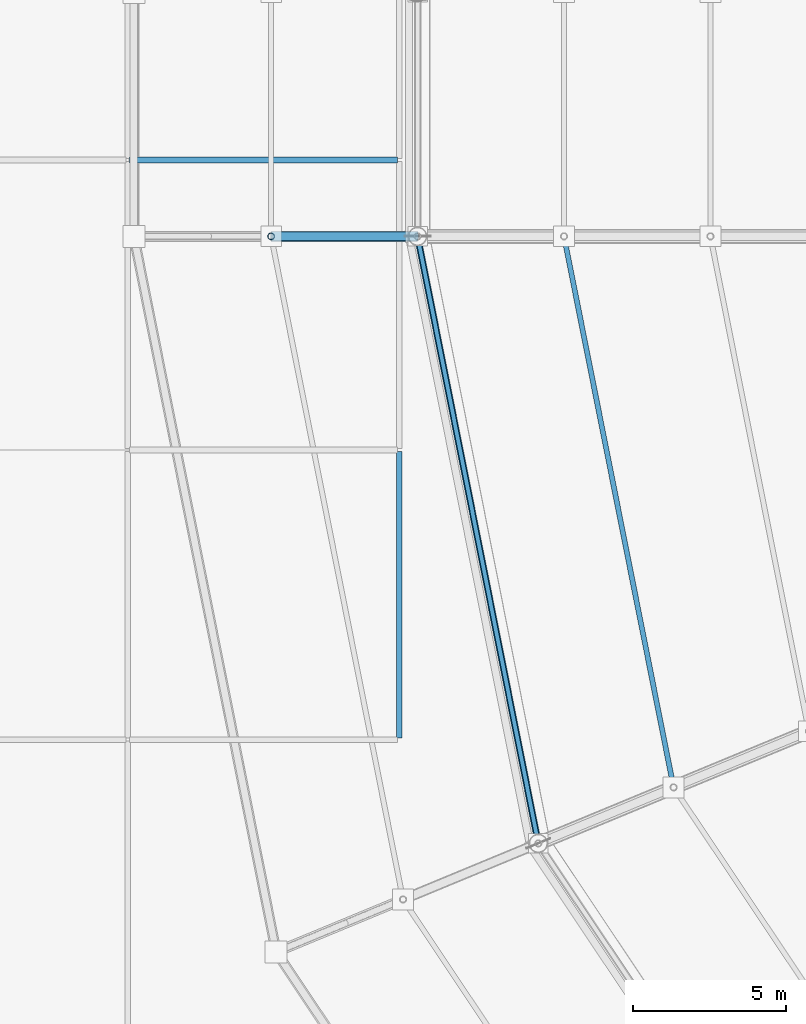
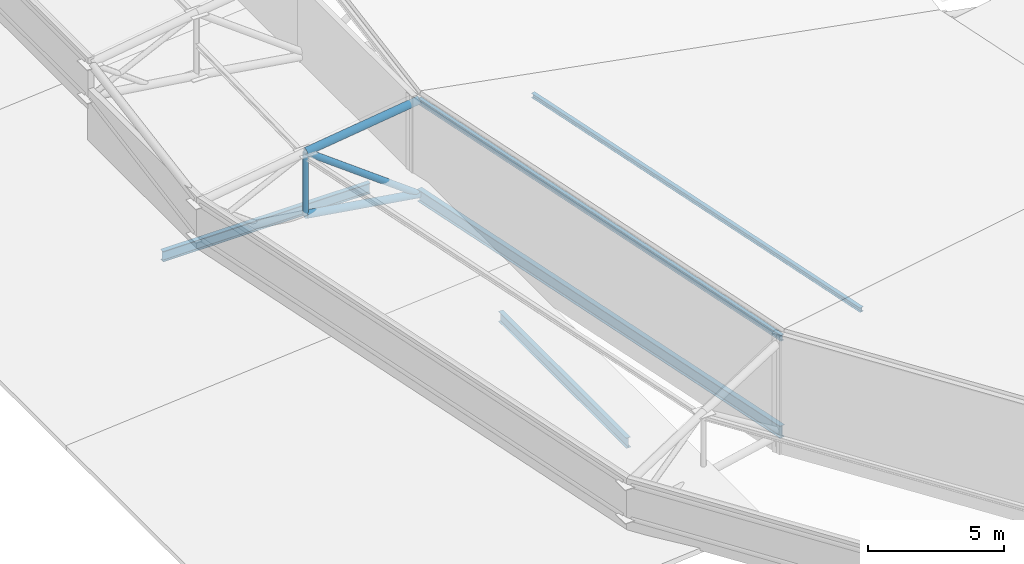
# One storey, part 23 of 146: 5 members, 4 beams.
"""IFC4 building model written with IfcOpenShell, lengths in metres."""

import ifcopenshell
import ifcopenshell.guid

model = None  # the IFC model being written
_history = None  # IfcOwnerHistory: only IFC2X3 demands one
_inside = {}  # id of a spatial element -> (the spatial element, [elements in it])
_under = {}  # id of a project, library or spatial element -> (it, [spatial elements below it])
_declared = {}  # id of a project -> (the project, [libraries it declares])
_typed = {}  # id of a type object -> (the type object, [elements of that type])
_made_of = {}  # id of a material, layer set ... -> (it, [elements and type objects made of it])


def new_model(schema):
    """Start an empty IFC model of exactly this schema.

    Asked for "IFC4X3", IfcOpenShell would pick the latest addendum, in which some entities
    have other attributes; the version numbers below select the first issue.
    IFC2X3 requires an IfcOwnerHistory on every rooted entity: one is made here for all.
    """
    global model, _history
    if schema == "IFC4X3":
        model = ifcopenshell.file(schema_version=(4, 3, 0, 0))
    else:
        model = ifcopenshell.file(schema=schema)
    _inside.clear()
    _under.clear()
    _declared.clear()
    _typed.clear()
    _made_of.clear()
    _history = None
    if model.schema == "IFC2X3":
        org = make("IfcOrganization", Name="unknown")
        user = make(
            "IfcPersonAndOrganization",
            ThePerson=make("IfcPerson", FamilyName="unknown"),
            TheOrganization=org,
        )
        app = make(
            "IfcApplication",
            ApplicationDeveloper=org,
            Version="unknown",
            ApplicationFullName="unknown",
            ApplicationIdentifier="unknown",
        )
        _history = make(
            "IfcOwnerHistory",
            OwningUser=user,
            OwningApplication=app,
            ChangeAction="ADDED",
            CreationDate=0,
        )
    return model


def make(cls, **values):
    """One entity of the class cls with the attributes given. An attribute that is None is left unset."""
    return model.create_entity(
        cls, **{name: value for name, value in values.items() if value is not None}
    )


def rooted(cls, **values):
    """An entity with a GlobalId (a new one), such as an element, a storey or a relation."""
    return make(cls, GlobalId=ifcopenshell.guid.new(), OwnerHistory=_history, **values)


def si_unit(unit_type, name, prefix=None):
    """IfcSIUnit, for example si_unit("LENGTHUNIT", "METRE", prefix="MILLI")."""
    return make("IfcSIUnit", UnitType=unit_type, Prefix=prefix, Name=name)


def assignment(units):
    """IfcUnitAssignment: the units of a project."""
    return None if units is None else make("IfcUnitAssignment", Units=units)


def point(xyz):
    """IfcCartesianPoint."""
    return None if xyz is None else make("IfcCartesianPoint", Coordinates=xyz)


def direction(xyz):
    """IfcDirection."""
    return None if xyz is None else make("IfcDirection", DirectionRatios=xyz)


def frame(location, z_axis=None, x_axis=None):
    """IfcAxis2Placement3D, a coordinate frame: its origin and axes. An axis left out is left unset."""
    return make(
        "IfcAxis2Placement3D",
        Location=point(location),
        Axis=direction(z_axis),
        RefDirection=direction(x_axis),
    )


def frame_2d(location, x_axis=None):
    """IfcAxis2Placement2D, a coordinate frame in the plane: its origin and x axis."""
    return make(
        "IfcAxis2Placement2D", Location=point(location), RefDirection=direction(x_axis)
    )


def origin():
    """The frame at (0, 0, 0) with its axes left unset."""
    return frame((0.0, 0.0, 0.0))


def origin_2d():
    """The frame at (0, 0) in the plane with its x axis left unset."""
    return frame_2d((0.0, 0.0))


def place(relative_to, where):
    """IfcLocalPlacement: puts the frame where relative to a parent placement (None: the world)."""
    return make(
        "IfcLocalPlacement", PlacementRelTo=relative_to, RelativePlacement=where
    )


def context(
    kind, dimensions, precision=None, world=None, true_north=None, identifier=None
):
    """IfcGeometricRepresentationContext, for example the 3D "Model" context."""
    return make(
        "IfcGeometricRepresentationContext",
        ContextIdentifier=identifier,
        ContextType=kind,
        CoordinateSpaceDimension=dimensions,
        Precision=precision,
        WorldCoordinateSystem=world,
        TrueNorth=true_north,
    )


def subcontext(parent, identifier, kind, view, scale=None):
    """IfcGeometricRepresentationSubContext, for example "Body" below "Model"."""
    return make(
        "IfcGeometricRepresentationSubContext",
        ContextIdentifier=identifier,
        ContextType=kind,
        ParentContext=parent,
        TargetScale=scale,
        TargetView=view,
    )


def project(units=None, contexts=None):
    """IfcProject with its units and contexts."""
    return rooted(
        "IfcProject",
        Name="project",
        RepresentationContexts=contexts,
        UnitsInContext=assignment(units),
    )


def spatial(cls, under=None, at=None, **own):
    """A site, building, storey or space (cls), placed at a placement, below another one or the project."""
    s = rooted(cls, ObjectPlacement=at, **own)
    if under is not None:
        _under.setdefault(under.id(), (under, []))[1].append(s)
    return s


def profile(cls, at=None, kind="AREA", **sizes):
    """A parametric profile (cls). Its sizes go by their IFC names, for example OverallWidth=200.0."""
    return make(cls, ProfileType=kind, Position=at, **sizes)


def hollow_circle(**sizes):
    """IfcCircleHollowProfileDef."""
    return profile("IfcCircleHollowProfileDef", **sizes)


def i_section(**sizes):
    """IfcIShapeProfileDef."""
    return profile("IfcIShapeProfileDef", **sizes)


def extrude(swept, where, along, depth):
    """IfcExtrudedAreaSolid: the profile swept, set in the frame where, extruded along a direction by depth."""
    return make(
        "IfcExtrudedAreaSolid",
        SweptArea=swept,
        Position=where,
        ExtrudedDirection=direction(along),
        Depth=depth,
    )


def shape(context_of_items, identifier, shape_type, items):
    """IfcShapeRepresentation: the items that make up one representation, for example the "Body"."""
    return make(
        "IfcShapeRepresentation",
        ContextOfItems=context_of_items,
        RepresentationIdentifier=identifier,
        RepresentationType=shape_type,
        Items=items,
    )


def material(Name=None, Category=None):
    """IfcMaterial."""
    return make("IfcMaterial", Name=Name, Category=Category)


def material_profile(
    of_material, cross_section, Name=None, Category=None, Priority=None
):
    """IfcMaterialProfile: a cross section and its material."""
    return make(
        "IfcMaterialProfile",
        Name=Name,
        Material=of_material,
        Profile=cross_section,
        Priority=Priority,
        Category=Category,
    )


def profile_set(profiles, Name=None, composite=None):
    """IfcMaterialProfileSet."""
    return make(
        "IfcMaterialProfileSet",
        Name=Name,
        MaterialProfiles=profiles,
        CompositeProfile=composite,
    )


def made_of(thing, what):
    """Note that an element or type object is made of a material, layer set ...; save() writes the relation."""
    if what is not None:
        _made_of.setdefault(what.id(), (what, []))[1].append(thing)
    return thing


def type_object(cls, material=None, **own):
    """A type object (cls), such as IfcWallType, which elements share."""
    return made_of(rooted(cls, **own), material)


def element(
    cls,
    number,
    at=None,
    inside=None,
    cuts=None,
    type_object=None,
    material=None,
    context=None,
    identifier="Body",
    shape_type=None,
    held_by="IfcProductDefinitionShape",
    body=None,
    shapes=None,
    **own,
):
    """One element of the class cls, such as IfcWall. Its Tag is "e" and its number.

    at: its placement. inside: the storey or other place that contains it. cuts: it is an
    opening in that element (IfcRelVoidsElement). A single representation is given by context,
    identifier, shape_type and body (its items); several are given by shapes. held_by: the class
    of the entity that holds the representations. save() writes the other relations.
    """
    e = rooted(cls, Tag="e%d" % number, ObjectPlacement=at, **own)
    if body is not None:
        shapes = [shape(context, identifier, shape_type, body)]
    if shapes is not None:
        e.Representation = make(held_by, Representations=shapes)
    if inside is not None:
        _inside.setdefault(inside.id(), (inside, []))[1].append(e)
    if cuts is not None:
        rooted(
            "IfcRelVoidsElement", RelatingBuildingElement=cuts, RelatedOpeningElement=e
        )
    if type_object is not None:
        _typed.setdefault(type_object.id(), (type_object, []))[1].append(e)
    return made_of(e, material)


def aggregate(whole, parts):
    """IfcRelAggregates: a whole, such as a stair, and the parts it consists of."""
    return rooted("IfcRelAggregates", RelatingObject=whole, RelatedObjects=parts)


def save(model, path):
    """Write the relations noted so far, then the file.

    IfcRelAggregates (storeys below a building ...), IfcRelContainedInSpatialStructure (elements
    in a storey), IfcRelDefinesByType, IfcRelAssociatesMaterial and IfcRelDeclares: one each for
    every whole, place, type object, material and project.
    """
    for whole, parts in _under.values():
        aggregate(whole, parts)
    for where, things in _inside.values():
        rooted(
            "IfcRelContainedInSpatialStructure",
            RelatedElements=things,
            RelatingStructure=where,
        )
    for kind, things in _typed.values():
        rooted("IfcRelDefinesByType", RelatedObjects=things, RelatingType=kind)
    for what, things in _made_of.values():
        rooted("IfcRelAssociatesMaterial", RelatedObjects=things, RelatingMaterial=what)
    for by, libraries in _declared.values():
        rooted("IfcRelDeclares", RelatingContext=by, RelatedDefinitions=libraries)
    model.write(path)


model = new_model("IFC4")

# Units and contexts
model_context = context("Model", 3, precision=1e-05, world=origin(), true_north=direction((0.0, 1.0)))
body_context = subcontext(model_context, "Body", "Model", "MODEL_VIEW")
ifc_project = project(units=[si_unit("LENGTHUNIT", "METRE"), si_unit("AREAUNIT", "SQUARE_METRE"), si_unit("VOLUMEUNIT", "CUBIC_METRE"), si_unit("PLANEANGLEUNIT", "RADIAN"), si_unit("MASSUNIT", "GRAM", prefix="KILO")], contexts=[model_context])

# Site, building, storey
site_placement = place(None, origin())
site = spatial("IfcSite", under=ifc_project, at=site_placement, CompositionType="ELEMENT")
building_placement = place(site_placement, origin())
building = spatial("IfcBuilding", under=site, at=building_placement, Name="Candeia Ridge Stadium", CompositionType="ELEMENT")
storey_placement = place(building_placement, frame((0.0, 0.0, 31.800048828125)))
storey = spatial("IfcBuildingStorey", under=building, at=storey_placement, Name="RF", CompositionType="ELEMENT", Elevation=31.800048828125)

# Beams
ifc_material = material(Name="Steel ASTM A572 Grade 50", Category="steel")
ifc_material_profile_1 = material_profile(ifc_material, i_section(OverallWidth=0.14794921875, OverallDepth=0.26611328125, WebThickness=0.007568359375, FlangeThickness=0.012939453125, FilletRadius=0.010986328125, at=origin_2d()), Name="W250x44.8", Category="steel")
ifc_profile_set_1 = profile_set([ifc_material_profile_1], Name="Steel ASTM A572 Grade 50")
beam_type_1 = type_object("IfcBeamType", Name="Canopy Edge Spandrel W250x44.8", PredefinedType="SPANDREL", material=ifc_profile_set_1)
beam_1_placement = place(storey_placement, frame((19.0078125, 70.960693359375, 4.599853515625), z_axis=(0.195089178874, -0.980785507788, 0.0), x_axis=(0.980785507788, 0.195089178874, 0.0)))
element("IfcBeam", 1, at=beam_1_placement, inside=storey, type_object=beam_type_1, Name="Roof crown cap ring beam bay 15", PredefinedType="SPANDREL", context=body_context, shape_type="SweptSolid", body=[
    extrude(i_section(OverallWidth=0.14794921875, OverallDepth=0.26611328125, WebThickness=0.007568359375, FlangeThickness=0.012939453125, FilletRadius=0.010986328125, at=origin_2d()), origin(), (0.0, 0.0, 1.0), 20.20947265625),
])
ifc_material_profile_2 = material_profile(ifc_material, i_section(OverallWidth=0.194091796875, OverallDepth=0.468994140625, WebThickness=0.0126953125, FlangeThickness=0.0205078125, FilletRadius=0.012939453125, at=origin_2d()), Name="W460x106", Category="steel")
ifc_profile_set_2 = profile_set([ifc_material_profile_2], Name="Steel ASTM A572 Grade 50")
beam_type_2 = type_object("IfcBeamType", Name="Gondola Primary Girder W460x106", PredefinedType="BEAM", material=ifc_profile_set_2)
beam_2_placement = place(storey_placement, frame((9.550048828125, 73.5, -0.58447265625), z_axis=(1.0, 0.0, 0.0), x_axis=(0.0, 1.0, 0.0)))
element("IfcBeam", 2, at=beam_2_placement, inside=storey, type_object=beam_type_2, Name="Structural girder BM-RF-1447", PredefinedType="BEAM", context=body_context, shape_type="SweptSolid", body=[
    extrude(i_section(OverallWidth=0.194091796875, OverallDepth=0.468994140625, WebThickness=0.0126953125, FlangeThickness=0.0205078125, FilletRadius=0.012939453125, at=origin_2d()), origin(), (0.0, 0.0, 1.0), 8.800048828125),
])
ifc_material_profile_3 = material_profile(ifc_material, i_section(OverallWidth=0.18994140625, OverallDepth=0.45703125, WebThickness=0.009033203125, FlangeThickness=0.014404296875, FilletRadius=0.012939453125, at=origin_2d()), Name="W460x74", Category="steel")
ifc_profile_set_3 = profile_set([ifc_material_profile_3], Name="Steel ASTM A572 Grade 50")
beam_type_3 = type_object("IfcBeamType", Name="Pavilion Steel Girder W460x74", PredefinedType="BEAM", material=ifc_profile_set_3)
beam_3_placement = place(storey_placement, frame((18.39990234375, 54.550048828125, -0.57861328125), z_axis=(0.0, 1.0, 0.0), x_axis=(-1.0, 0.0, 0.0)))
element("IfcBeam", 3, at=beam_3_placement, inside=storey, type_object=beam_type_3, Name="Structural girder BM-RF-1433", PredefinedType="BEAM", context=body_context, shape_type="SweptSolid", body=[
    extrude(i_section(OverallWidth=0.18994140625, OverallDepth=0.45703125, WebThickness=0.009033203125, FlangeThickness=0.014404296875, FilletRadius=0.012939453125, at=origin_2d()), origin(), (0.0, 0.0, 1.0), 9.39990234375),
])
ifc_material_profile_4 = material_profile(ifc_material, i_section(OverallWidth=0.2119140625, OverallDepth=0.5439453125, WebThickness=0.01318359375, FlangeThickness=0.021240234375, FilletRadius=0.013916015625, at=origin_2d()), Name="W530x123", Category="steel")
ifc_profile_set_4 = profile_set([ifc_material_profile_4], Name="Steel ASTM A572 Grade 50")
beam_type_4 = type_object("IfcBeamType", Name="Roof Perimeter Ring Beam W530x123", PredefinedType="BEAM", material=ifc_profile_set_4)
beam_4_placement = place(storey_placement, frame((19.0078125, 70.960693359375, 0.39990234375), z_axis=(0.195089178874, -0.980785507788, 0.0), x_axis=(0.980785507788, 0.195089178874, 0.0)))
element("IfcBeam", 4, at=beam_4_placement, inside=storey, type_object=beam_type_4, Name="Roof perimeter ring beam bay 15", PredefinedType="BEAM", context=body_context, shape_type="SweptSolid", body=[
    extrude(i_section(OverallWidth=0.2119140625, OverallDepth=0.5439453125, WebThickness=0.01318359375, FlangeThickness=0.021240234375, FilletRadius=0.013916015625, at=origin_2d()), origin(), (0.0, 0.0, 1.0), 20.20947265625),
])

# Members
ifc_material_profile_5 = material_profile(ifc_material, i_section(OverallWidth=0.1650390625, OverallDepth=0.200927734375, WebThickness=0.006103515625, FlangeThickness=0.01025390625, FilletRadius=0.010009765625, at=origin_2d()), Name="W200x35.9", Category="steel")
ifc_profile_set_5 = profile_set([ifc_material_profile_5], Name="Steel ASTM A572 Grade 50")
member_type_1 = type_object("IfcMemberType", Name="Roof Purlin W200x35.9", PredefinedType="PURLIN", material=ifc_profile_set_5)
member_1_placement = place(storey_placement, frame((23.809814453125, 70.950927734375, 3.19189453125), z_axis=(0.19508302995, -0.980786730857, 0.0), x_axis=(0.980786730857, 0.19508302995, 0.0)))
element("IfcMember", 5, at=member_1_placement, inside=storey, type_object=member_type_1, Name="Saddle roof steel purlin bay 15-4", PredefinedType="PURLIN", context=body_context, shape_type="SweptSolid", body=[
    extrude(i_section(OverallWidth=0.1650390625, OverallDepth=0.200927734375, WebThickness=0.006103515625, FlangeThickness=0.01025390625, FilletRadius=0.010009765625, at=origin_2d()), origin(), (0.0, 0.0, 1.0), 18.31640625),
])
ifc_material_profile_6 = material_profile(ifc_material, hollow_circle(Radius=0.161865234375, WallThickness=0.012451171875, at=origin_2d()), Name="CHS323x12", Category="steel")
ifc_profile_set_6 = profile_set([ifc_material_profile_6], Name="Steel ASTM A572 Grade 50")
member_type_2 = type_object("IfcMemberType", Name="Roof Truss Eaves Chord CHS323x12", PredefinedType="CHORD", material=ifc_profile_set_6)
member_2_placement = place(storey_placement, frame((19.0, 71.0, 4.599853515625), z_axis=(-0.991184698971, 0.0, -0.132487329683), x_axis=(0.0, -1.0, 0.0)))
element("IfcMember", 6, at=member_2_placement, inside=storey, type_object=member_type_2, Name="Roof cantilever truss RT-15 top chord 7", PredefinedType="CHORD", context=body_context, shape_type="SweptSolid", body=[
    extrude(hollow_circle(Radius=0.161865234375, WallThickness=0.012451171875, at=origin_2d()), origin(), (0.0, 0.0, 1.0), 4.8427734375),
])
member_3_placement = place(storey_placement, frame((19.0, 71.0, 0.39990234375), z_axis=(-0.987950881294, 0.0, 0.154767749066), x_axis=(0.0, -1.0, 0.0)))
element("IfcMember", 7, at=member_3_placement, inside=storey, type_object=member_type_2, Name="Roof cantilever truss RT-15 bottom chord 7", PredefinedType="CHORD", context=body_context, shape_type="SweptSolid", body=[
    extrude(hollow_circle(Radius=0.161865234375, WallThickness=0.012451171875, at=origin_2d()), origin(), (0.0, 0.0, 1.0), 4.858642578125),
])
ifc_material_profile_7 = material_profile(ifc_material, hollow_circle(Radius=0.136474609375, WallThickness=0.010009765625, at=origin_2d()), Name="CHS273x10", Category="steel")
ifc_profile_set_7 = profile_set([ifc_material_profile_7], Name="Steel ASTM A572 Grade 50")
member_type_3 = type_object("IfcMemberType", Name="Roof Truss Heavy Web Brace CHS273x10", PredefinedType="BRACE", material=ifc_profile_set_7)
member_4_placement = place(storey_placement, frame((19.0, 71.0, 0.39990234375), z_axis=(-0.803336374347, 0.0, 0.595525540721), x_axis=(0.0, -1.0, 0.0)))
element("IfcMember", 8, at=member_4_placement, inside=storey, type_object=member_type_3, Name="Roof cantilever truss RT-15 diagonal web 7", PredefinedType="BRACE", context=body_context, shape_type="SweptSolid", body=[
    extrude(hollow_circle(Radius=0.136474609375, WallThickness=0.010009765625, at=origin_2d()), origin(), (0.0, 0.0, 1.0), 5.97509765625),
])
ifc_material_profile_8 = material_profile(ifc_material, hollow_circle(Radius=0.109619140625, WallThickness=0.010009765625, at=origin_2d()), Name="CHS219x10", Category="steel")
ifc_profile_set_8 = profile_set([ifc_material_profile_8], Name="Steel ASTM A572 Grade 50")
member_type_4 = type_object("IfcMemberType", Name="Roof Truss Inner Web Brace CHS219x10", PredefinedType="BRACE", material=ifc_profile_set_8)
member_5_placement = place(storey_placement, frame((14.199951171875, 71.0, 1.15185546875), z_axis=(0.0, 0.0, 1.0), x_axis=(1.0, 0.0, 0.0)))
element("IfcMember", 9, at=member_5_placement, inside=storey, type_object=member_type_4, Name="Roof cantilever truss RT-15 vertical post 7", PredefinedType="BRACE", context=body_context, shape_type="SweptSolid", body=[
    extrude(hollow_circle(Radius=0.109619140625, WallThickness=0.010009765625, at=origin_2d()), origin(), (0.0, 0.0, 1.0), 2.806396484375),
])

save(model, "model.ifc")
